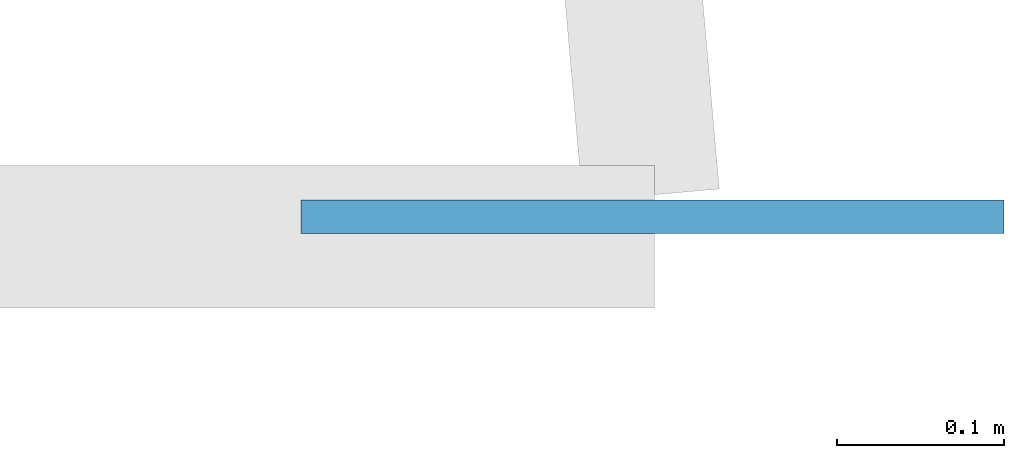
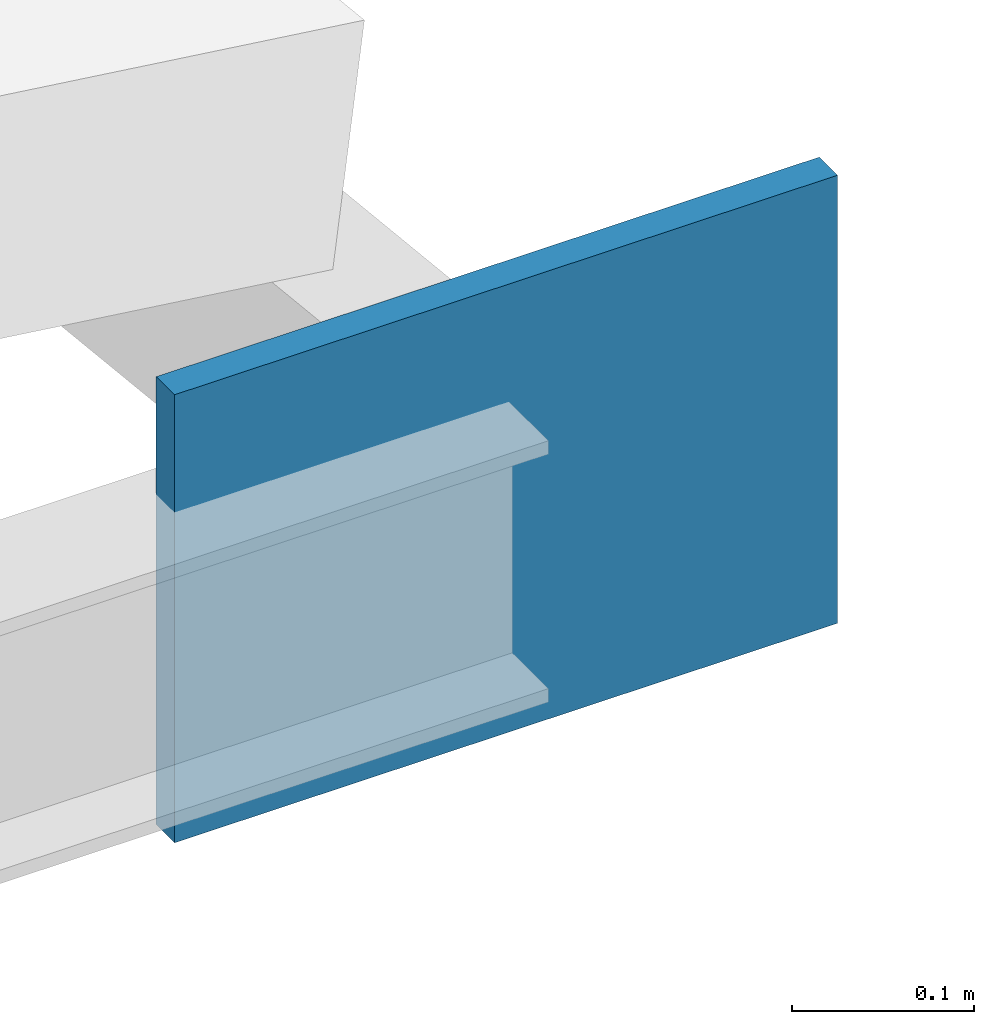
# One storey, part 9 of 23: 1 plate.
"""IFC4 building model written with IfcOpenShell, lengths in metres."""

from ifc_helpers import new_model, si_unit, direction, frame, origin, origin_2d, place, context, subcontext, project, spatial, rectangle, extrude, material, layer, layer_set, type_object, element, save


model = new_model("IFC4")

# Units and contexts
model_context = context("Model", 3, precision=1e-05, world=origin(), true_north=direction((0.0, 1.0)))
body_context = subcontext(model_context, "Body", "Model", "MODEL_VIEW")
ifc_project = project(units=[si_unit("LENGTHUNIT", "METRE"), si_unit("AREAUNIT", "SQUARE_METRE"), si_unit("VOLUMEUNIT", "CUBIC_METRE"), si_unit("PLANEANGLEUNIT", "RADIAN"), si_unit("MASSUNIT", "GRAM", prefix="KILO")], contexts=[model_context])

# Site, building, storey
site_placement = place(None, origin())
site = spatial("IfcSite", under=ifc_project, at=site_placement, CompositionType="ELEMENT")
building_placement = place(site_placement, origin())
building = spatial("IfcBuilding", under=site, at=building_placement, Name="Kiranvali Square Residences", CompositionType="ELEMENT")
storey_placement = place(building_placement, frame((0.0, 0.0, 43.35009765625)))
storey = spatial("IfcBuildingStorey", under=building, at=storey_placement, Name="L13", CompositionType="ELEMENT", Elevation=43.35009765625)

# Plate
ifc_material = material(Name="Structural steel E350", Category="steel")
ifc_layer = layer(ifc_material, 0.02001953125)
ifc_layer_set = layer_set([ifc_layer], Name="Structural steel E350")
plate_type = type_object("IfcPlateType", Name="PLT-ENDCAP-20", PredefinedType="SHEET", material=ifc_layer_set)
plate_placement = place(storey_placement, frame((156.098876953125, 87.81201171875, -0.46240234375), z_axis=(0.0, 0.0, 1.0), x_axis=(1.0, 0.0, 0.0)))
element("IfcPlate", 1, at=plate_placement, inside=storey, type_object=plate_type, Name="Block B eave fascia purlin end-cap E", PredefinedType="SHEET", context=body_context, shape_type="SweptSolid", body=[
    extrude(rectangle(XDim=0.419921875, YDim=0.02001953125, at=origin_2d()), origin(), (0.0, 0.0, 1.0), 0.300048828125),
])

save(model, "model.ifc")
